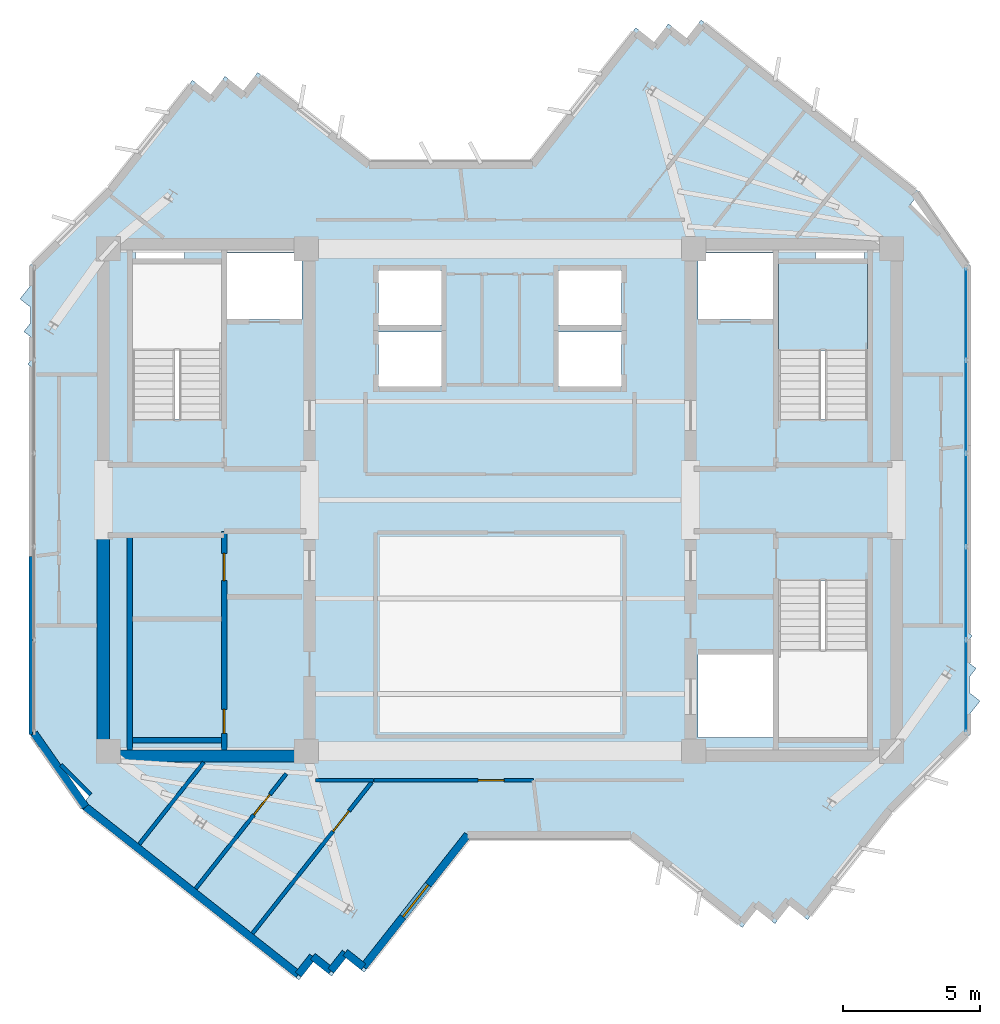
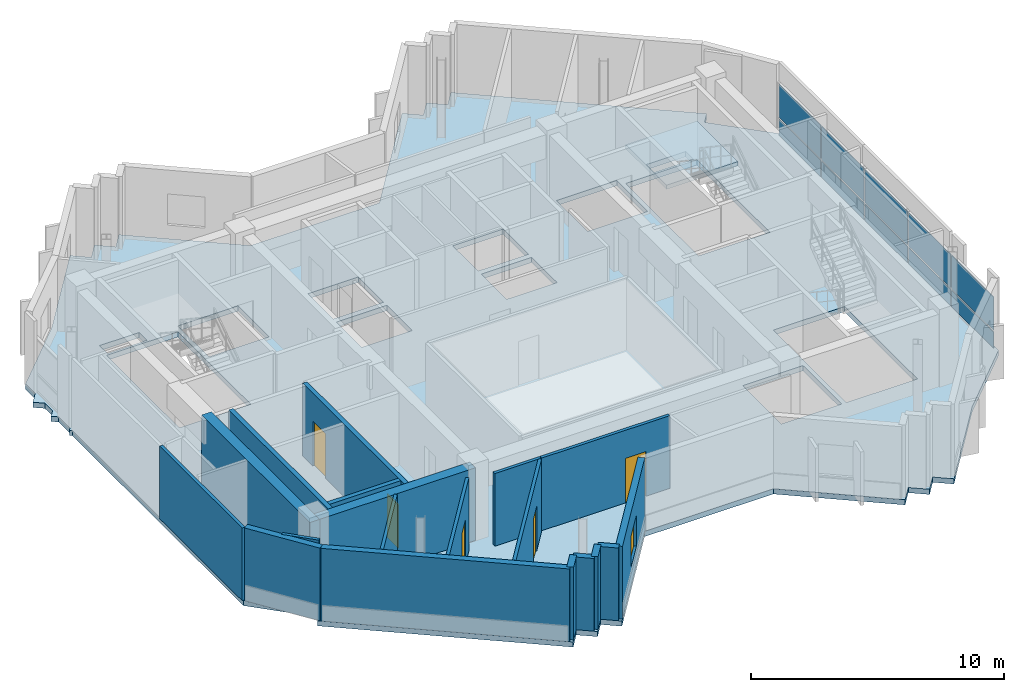
# One storey, part 4 of 10: 19 walls, 10 plates, 5 doors, 2 slabs, 1 window, 6 openings, 2 elements without a shape of their own.
"""IFC4 building model written with IfcOpenShell, lengths in metres."""

from ifc_helpers import new_model, si_unit, direction, frame, frame_2d, origin, origin_2d, place, context, subcontext, project, spatial, polyline, rectangle, outline, extrude, source, transform, mapped, material, layer, layer_set, type_object, element, fill, aggregate, save


model = new_model("IFC4")

# Units and contexts
model_context = context("Model", 3, precision=1e-05, world=origin(), true_north=direction((0.0, 1.0)))
body_context = subcontext(model_context, "Body", "Model", "MODEL_VIEW")
ifc_project = project(units=[si_unit("LENGTHUNIT", "METRE"), si_unit("AREAUNIT", "SQUARE_METRE"), si_unit("VOLUMEUNIT", "CUBIC_METRE"), si_unit("PLANEANGLEUNIT", "RADIAN"), si_unit("MASSUNIT", "GRAM", prefix="KILO")], contexts=[model_context])

# Site, building, storey
site_placement = place(None, origin())
site = spatial("IfcSite", under=ifc_project, at=site_placement, CompositionType="ELEMENT")
building_placement = place(site_placement, origin())
building = spatial("IfcBuilding", under=site, at=building_placement, Name="Zahravan Cultural Tower", CompositionType="ELEMENT")
storey_placement = place(building_placement, frame((0.0, 0.0, 323.550048828125)))
storey = spatial("IfcBuildingStorey", under=building, at=storey_placement, Name="L78", CompositionType="ELEMENT", Elevation=323.550048828125)

# Stair, slab
ifc_material_1 = material(Name="Concrete C45/55", Category="concrete")
stair_type = type_object("IfcStairType", Name="STR-DL-1550-375", PredefinedType="HALF_TURN_STAIR", material=ifc_material_1)
stair_placement = place(storey_placement, origin())
stair = element("IfcStair", 1, at=stair_placement, inside=storey, type_object=stair_type, Name="L78 East Core North Exit Stair ST-E1", PredefinedType="HALF_TURN_STAIR")
ifc_layer_1 = layer(ifc_material_1, 0.199951171875)
ifc_layer_set_1 = layer_set([ifc_layer_1], Name="Concrete C45/55")
slab_type_1 = type_object("IfcSlabType", Name="SL-STAIR-LND200", PredefinedType="LANDING", material=ifc_layer_set_1)
slab_1_placement = place(storey_placement, frame((0.0, 0.0, 1.675048828125)))
slab_1 = element("IfcSlab", 2, at=slab_1_placement, type_object=slab_type_1, Name="ST-E1 landing 1", PredefinedType="LANDING", context=body_context, shape_type="SweptSolid", body=[
    extrude(outline(polyline([(49.449951171875, 32.469970703125), (49.449951171875, 35.699951171875), (46.199951171875, 35.699951171875), (46.199951171875, 32.469970703125), (49.449951171875, 32.469970703125)])), origin(), (0.0, 0.0, 1.0), 0.199951171875),
])
aggregate(stair, [slab_1])

# Slab
ifc_material_2 = material(Name="Concrete C40/50", Category="concrete")
ifc_layer_2 = layer(ifc_material_2, 0.25)
ifc_layer_set_2 = layer_set([ifc_layer_2], Name="Concrete C40/50")
slab_type_2 = type_object("IfcSlabType", Name="SL-TYP-250", PredefinedType="FLOOR", material=ifc_layer_set_2)
slab_2_placement = place(storey_placement, frame((0.0, 0.0, -0.25)))
element("IfcSlab", 3, at=slab_2_placement, inside=storey, type_object=slab_type_2, Name="L78 Structural Floor Slab", PredefinedType="FLOOR", context=body_context, shape_type="SweptSolid", body=[
    extrude(outline(polyline([(37.116455078125, 39.39990234375), (31.25439453125, 39.39990234375), (27.12646484375, 42.654296875), (26.60009765625, 41.98681640625), (25.9326171875, 42.512939453125), (25.406494140625, 41.845458984375), (24.739013671875, 42.37158203125), (21.6376953125, 38.437744140625), (18.800048828125, 35.60009765625), (18.800048828125, 34.838134765625), (18.42431640625, 34.361328125), (18.800048828125, 34.065185546875), (18.800048828125, 33.465087890625), (18.5654296875, 33.167724609375), (18.800048828125, 32.98291015625), (18.800048828125, 32.09228515625), (18.706787109375, 31.97412109375), (18.800048828125, 31.900390625), (18.800048828125, 18.39990234375), (20.995361328125, 16.20458984375), (20.62841796875, 15.739013671875), (28.638671875, 9.42431640625), (29.164794921875, 10.091796875), (29.832275390625, 9.5654296875), (30.3583984375, 10.23291015625), (31.02587890625, 9.706787109375), (34.883544921875, 14.60009765625), (40.74560546875, 14.60009765625), (44.87353515625, 11.345703125), (45.39990234375, 12.01318359375), (46.0673828125, 11.487060546875), (46.593505859375, 12.154541015625), (47.260986328125, 11.62841796875), (50.3623046875, 15.562255859375), (53.199951171875, 18.39990234375), (53.199951171875, 19.161865234375), (53.57568359375, 19.638671875), (53.199951171875, 19.934814453125), (53.199951171875, 20.534912109375), (53.4345703125, 20.832275390625), (53.199951171875, 21.01708984375), (53.199951171875, 21.90771484375), (53.293212890625, 22.02587890625), (53.199951171875, 22.099609375), (53.199951171875, 35.60009765625), (51.004638671875, 37.79541015625), (51.37158203125, 38.260986328125), (43.361328125, 44.57568359375), (42.835205078125, 43.908203125), (42.167724609375, 44.4345703125), (41.6416015625, 43.76708984375), (40.97412109375, 44.293212890625), (37.116455078125, 39.39990234375)]), holes=[polyline([(22.550048828125, 29.949951171875), (22.550048828125, 35.699951171875), (25.800048828125, 35.699951171875), (25.800048828125, 29.949951171875), (22.550048828125, 29.949951171875)]), polyline([(46.199951171875, 29.949951171875), (46.199951171875, 35.699951171875), (49.449951171875, 35.699951171875), (49.449951171875, 29.949951171875), (46.199951171875, 29.949951171875)]), polyline([(46.199951171875, 18.300048828125), (46.199951171875, 24.050048828125), (49.449951171875, 24.050048828125), (49.449951171875, 18.300048828125), (46.199951171875, 18.300048828125)]), polyline([(26.0, 33.60009765625), (26.0, 36.050048828125), (28.75, 36.050048828125), (28.75, 33.60009765625), (26.0, 33.60009765625)]), polyline([(43.25, 33.60009765625), (43.25, 36.050048828125), (46.0, 36.050048828125), (46.0, 33.60009765625), (43.25, 33.60009765625)]), polyline([(43.25, 18.300048828125), (43.25, 21.35009765625), (46.0, 21.35009765625), (46.0, 18.300048828125), (43.25, 18.300048828125)]), polyline([(31.550048828125, 33.39990234375), (31.550048828125, 35.39990234375), (33.85009765625, 35.39990234375), (33.85009765625, 33.39990234375), (31.550048828125, 33.39990234375)]), polyline([(31.550048828125, 31.14990234375), (31.550048828125, 33.14990234375), (33.85009765625, 33.14990234375), (33.85009765625, 31.14990234375), (31.550048828125, 31.14990234375)]), polyline([(38.14990234375, 33.39990234375), (38.14990234375, 35.39990234375), (40.449951171875, 35.39990234375), (40.449951171875, 33.39990234375), (38.14990234375, 33.39990234375)]), polyline([(38.14990234375, 31.14990234375), (38.14990234375, 33.14990234375), (40.449951171875, 33.14990234375), (40.449951171875, 31.14990234375), (38.14990234375, 31.14990234375)]), polyline([(22.64990234375, 35.800048828125), (22.64990234375, 36.419921875), (24.449951171875, 36.419921875), (24.449951171875, 35.800048828125), (22.64990234375, 35.800048828125)]), polyline([(47.550048828125, 35.800048828125), (47.550048828125, 36.419921875), (49.35009765625, 36.419921875), (49.35009765625, 35.800048828125), (47.550048828125, 35.800048828125)])]), origin(), (0.0, 0.0, 1.0), 0.25),
])

# Curtain wall, plates
ifc_material_3 = material(Name="Anodised bronze-aluminium mullion", Category="aluminium")
ifc_layer_3 = layer(ifc_material_3, 0.199951171875)
ifc_layer_set_3 = layer_set([ifc_layer_3], Name="Anodised bronze-aluminium mullion")
curtain_wall_type = type_object("IfcCurtainWallType", Name="CW-SYS-2", PredefinedType="USERDEFINED", material=ifc_layer_set_3)
curtain_wall_placement = place(storey_placement, origin())
curtain_wall = element("IfcCurtainWall", 4, at=curtain_wall_placement, inside=storey, type_object=curtain_wall_type, Name="L78 Recessed Curtain Wall CW-2.1", ObjectType="RECESSED GLAZING", PredefinedType="USERDEFINED")
ifc_material_4 = material(Name="Low-E solar-control double glazing", Category="glass")
ifc_layer_4 = layer(ifc_material_4, 0.030029296875)
ifc_layer_set_4 = layer_set([ifc_layer_4], Name="Low-E solar-control double glazing")
plate_type = type_object("IfcPlateType", Name="CWP-CW-2", PredefinedType="CURTAIN_PANEL", material=ifc_layer_set_4)
shared_shape_1 = source(origin(), body_context, "Body", "SweptSolid", [
    extrude(rectangle(XDim=3.30419921875, YDim=0.030029296875, at=origin_2d()), origin(), (0.0, 0.0, 1.0), 0.78759765625),
])
plate_1_placement = place(storey_placement, frame((53.06005859375, 33.81494140625, 0.074951171875), z_axis=(0.0, 0.0, 1.0), x_axis=(0.0, -1.0, 0.0)))
plate_1 = element("IfcPlate", 5, at=plate_1_placement, type_object=plate_type, Name="CW-2 panel 1.1", PredefinedType="CURTAIN_PANEL", context=body_context, shape_type="MappedRepresentation", body=[
    mapped(shared_shape_1, transform((0.0, 0.0, 0.0), x_axis=(1.0, 0.0, 0.0), y_axis=(0.0, 1.0, 0.0), z_axis=(0.0, 0.0, 1.0), scale=1.0)),
])
plate_2_placement = place(storey_placement, frame((53.06005859375, 20.18505859375, 0.074951171875), z_axis=(0.0, 0.0, 1.0), x_axis=(0.0, -1.0, 0.0)))
plate_2 = element("IfcPlate", 6, at=plate_2_placement, type_object=plate_type, Name="CW-2 panel 5.1", PredefinedType="CURTAIN_PANEL", context=body_context, shape_type="MappedRepresentation", body=[
    mapped(shared_shape_1, transform((0.0, 0.0, 0.0), x_axis=(1.0, 0.0, 0.0), y_axis=(0.0, 1.0, 0.0), z_axis=(0.0, 0.0, 1.0), scale=1.0)),
])
shared_shape_2 = source(origin(), body_context, "Body", "SweptSolid", [
    extrude(rectangle(XDim=3.30419921875, YDim=0.030029296875, at=origin_2d()), origin(), (0.0, 0.0, 1.0), 1.607421875),
])
plate_3_placement = place(storey_placement, frame((53.06005859375, 33.81494140625, 0.9375), z_axis=(0.0, 0.0, 1.0), x_axis=(0.0, -1.0, 0.0)))
plate_3 = element("IfcPlate", 7, at=plate_3_placement, type_object=plate_type, Name="CW-2 panel 1.2", PredefinedType="CURTAIN_PANEL", context=body_context, shape_type="MappedRepresentation", body=[
    mapped(shared_shape_2, transform((0.0, 0.0, 0.0), x_axis=(1.0, 0.0, 0.0), y_axis=(0.0, 1.0, 0.0), z_axis=(0.0, 0.0, 1.0), scale=1.0)),
])
plate_4_placement = place(storey_placement, frame((53.06005859375, 20.18505859375, 0.9375), z_axis=(0.0, 0.0, 1.0), x_axis=(0.0, -1.0, 0.0)))
plate_4 = element("IfcPlate", 8, at=plate_4_placement, type_object=plate_type, Name="CW-2 panel 5.2", PredefinedType="CURTAIN_PANEL", context=body_context, shape_type="MappedRepresentation", body=[
    mapped(shared_shape_2, transform((0.0, 0.0, 0.0), x_axis=(1.0, 0.0, 0.0), y_axis=(0.0, 1.0, 0.0), z_axis=(0.0, 0.0, 1.0), scale=1.0)),
])
shared_shape_3 = source(origin(), body_context, "Body", "SweptSolid", [
    extrude(rectangle(XDim=3.341796875, YDim=0.030029296875, at=origin_2d()), origin(), (0.0, 0.0, 1.0), 0.78759765625),
])
plate_5_placement = place(storey_placement, frame((53.06005859375, 30.416748046875, 0.074951171875), z_axis=(0.0, 0.0, 1.0), x_axis=(0.0, -1.0, 0.0)))
plate_5 = element("IfcPlate", 9, at=plate_5_placement, type_object=plate_type, Name="CW-2 panel 2.1", PredefinedType="CURTAIN_PANEL", context=body_context, shape_type="MappedRepresentation", body=[
    mapped(shared_shape_3, transform((0.0, 0.0, 0.0), x_axis=(1.0, 0.0, 0.0), y_axis=(0.0, 1.0, 0.0), z_axis=(0.0, 0.0, 1.0), scale=1.0)),
])
plate_6_placement = place(storey_placement, frame((53.06005859375, 27.0, 0.074951171875), z_axis=(0.0, 0.0, 1.0), x_axis=(0.0, -1.0, 0.0)))
plate_6 = element("IfcPlate", 10, at=plate_6_placement, type_object=plate_type, Name="CW-2 panel 3.1", PredefinedType="CURTAIN_PANEL", context=body_context, shape_type="MappedRepresentation", body=[
    mapped(shared_shape_3, transform((0.0, 0.0, 0.0), x_axis=(1.0, 0.0, 0.0), y_axis=(0.0, 1.0, 0.0), z_axis=(0.0, 0.0, 1.0), scale=1.0)),
])
plate_7_placement = place(storey_placement, frame((53.06005859375, 23.583251953125, 0.074951171875), z_axis=(0.0, 0.0, 1.0), x_axis=(0.0, -1.0, 0.0)))
plate_7 = element("IfcPlate", 11, at=plate_7_placement, type_object=plate_type, Name="CW-2 panel 4.1", PredefinedType="CURTAIN_PANEL", context=body_context, shape_type="MappedRepresentation", body=[
    mapped(shared_shape_3, transform((0.0, 0.0, 0.0), x_axis=(1.0, 0.0, 0.0), y_axis=(0.0, 1.0, 0.0), z_axis=(0.0, 0.0, 1.0), scale=1.0)),
])
shared_shape_4 = source(origin(), body_context, "Body", "SweptSolid", [
    extrude(rectangle(XDim=3.341796875, YDim=0.030029296875, at=origin_2d()), origin(), (0.0, 0.0, 1.0), 1.607421875),
])
plate_8_placement = place(storey_placement, frame((53.06005859375, 30.416748046875, 0.9375), z_axis=(0.0, 0.0, 1.0), x_axis=(0.0, -1.0, 0.0)))
plate_8 = element("IfcPlate", 12, at=plate_8_placement, type_object=plate_type, Name="CW-2 panel 2.2", PredefinedType="CURTAIN_PANEL", context=body_context, shape_type="MappedRepresentation", body=[
    mapped(shared_shape_4, transform((0.0, 0.0, 0.0), x_axis=(1.0, 0.0, 0.0), y_axis=(0.0, 1.0, 0.0), z_axis=(0.0, 0.0, 1.0), scale=1.0)),
])
plate_9_placement = place(storey_placement, frame((53.06005859375, 27.0, 0.9375), z_axis=(0.0, 0.0, 1.0), x_axis=(0.0, -1.0, 0.0)))
plate_9 = element("IfcPlate", 13, at=plate_9_placement, type_object=plate_type, Name="CW-2 panel 3.2", PredefinedType="CURTAIN_PANEL", context=body_context, shape_type="MappedRepresentation", body=[
    mapped(shared_shape_4, transform((0.0, 0.0, 0.0), x_axis=(1.0, 0.0, 0.0), y_axis=(0.0, 1.0, 0.0), z_axis=(0.0, 0.0, 1.0), scale=1.0)),
])
plate_10_placement = place(storey_placement, frame((53.06005859375, 23.583251953125, 0.9375), z_axis=(0.0, 0.0, 1.0), x_axis=(0.0, -1.0, 0.0)))
plate_10 = element("IfcPlate", 14, at=plate_10_placement, type_object=plate_type, Name="CW-2 panel 4.2", PredefinedType="CURTAIN_PANEL", context=body_context, shape_type="MappedRepresentation", body=[
    mapped(shared_shape_4, transform((0.0, 0.0, 0.0), x_axis=(1.0, 0.0, 0.0), y_axis=(0.0, 1.0, 0.0), z_axis=(0.0, 0.0, 1.0), scale=1.0)),
])
aggregate(curtain_wall, [plate_1, plate_3, plate_5, plate_8, plate_6, plate_9, plate_7, plate_10, plate_2, plate_4])

# Wall, opening, window
ifc_material_5 = material(Name="Precast concrete C40/50", Category="concrete")
ifc_layer_5 = layer(ifc_material_5, 0.280029296875)
ifc_layer_set_5 = layer_set([ifc_layer_5], Name="Precast concrete C40/50")
wall_type_1 = type_object("IfcWallType", Name="EW-TC-280", PredefinedType="SOLIDWALL", material=ifc_layer_set_5)
wall_1_placement = place(storey_placement, frame((34.815673828125, 14.739990234375, 0.0), z_axis=(0.0, 0.0, 1.0), x_axis=(-0.619100474058, -0.78531178714, 0.0)))
wall_1 = element("IfcWall", 15, at=wall_1_placement, inside=storey, type_object=wall_type_1, Name="L78 Exterior Masonry Frame Wall 24", PredefinedType="SOLIDWALL", context=body_context, shape_type="SweptSolid", body=[
    extrude(rectangle(XDim=6.158935546875, YDim=0.280029296875, at=frame_2d((3.07958984375, 0.0))), origin(), (0.0, 0.0, 1.0), 3.5),
])
opening_1_placement = place(wall_1_placement, frame((2.3291015625, 0.0, 0.85009765625)))
opening_1 = element("IfcOpeningElement", 16, at=opening_1_placement, cuts=wall_1, Name="Opening WN-03", PredefinedType="OPENING", context=body_context, shape_type="SweptSolid", body=[
    extrude(rectangle(XDim=1.5, YDim=1.5, at=frame_2d((0.75, 0.75))), frame((0.0, 0.14990234375, 0.0), z_axis=(0.0, -1.0, 0.0), x_axis=(1.0, 0.0, 0.0)), (0.0, 0.0, 1.0), 0.300048828125),
])
window_type = type_object("IfcWindowType", Name="WN-REC-1500X1500", PartitioningType="SINGLE_PANEL", PredefinedType="WINDOW", material=ifc_material_4)
shared_shape_5 = source(origin(), body_context, "Body", "SweptSolid", [
    extrude(rectangle(XDim=1.5, YDim=1.5, at=frame_2d((0.75, 0.75))), frame((0.0, 0.030029296875, 0.0), z_axis=(0.0, -1.0, 0.0), x_axis=(1.0, 0.0, 0.0)), (0.0, 0.0, 1.0), 0.06005859375),
])
window_placement = place(opening_1_placement, origin())
window = element("IfcWindow", 17, at=window_placement, inside=storey, type_object=window_type, Name="L78 Recessed Solar Window 08", OverallHeight=1.5, OverallWidth=1.5, PartitioningType="SINGLE_PANEL", PredefinedType="WINDOW", context=body_context, shape_type="MappedRepresentation", body=[
    mapped(shared_shape_5, transform((0.0, 0.0, 0.0), x_axis=(1.0, 0.0, 0.0), y_axis=(0.0, 1.0, 0.0), z_axis=(0.0, 0.0, 1.0), scale=1.0)),
])
fill(opening_1, window)

# Wall, opening, door
ifc_material_6 = material(Name="Gypsum plasterboard partition")
ifc_layer_6 = layer(ifc_material_6, 0.139892578125)
ifc_layer_set_6 = layer_set([ifc_layer_6], Name="Gypsum plasterboard partition")
wall_type_2 = type_object("IfcWallType", Name="W-PART-140", PredefinedType="PARTITIONING", material=ifc_layer_set_6)
wall_2_placement = place(storey_placement, frame((28.17724609375, 16.97998046875, 0.0), z_axis=(0.0, 0.0, 1.0), x_axis=(-0.619105408422, -0.785307897109, 0.0)))
wall_2 = element("IfcWall", 18, at=wall_2_placement, inside=storey, type_object=wall_type_2, Name="L78 Interior Wall 052", PredefinedType="PARTITIONING", context=body_context, shape_type="SweptSolid", body=[
    extrude(rectangle(XDim=5.363037109375, YDim=0.139892578125, at=frame_2d((2.681640625, 0.0))), origin(), (0.0, 0.0, 1.0), 3.5),
])
opening_2_placement = place(wall_2_placement, frame((0.970947265625, 0.0, 0.0)))
opening_2 = element("IfcOpeningElement", 19, at=opening_2_placement, cuts=wall_2, Name="Opening D-L78-27", PredefinedType="OPENING", context=body_context, shape_type="SweptSolid", body=[
    extrude(rectangle(XDim=0.949951171875, YDim=2.14990234375, at=frame_2d((0.47509765625, 1.074951171875))), frame((0.0, 0.079833984375, 0.0), z_axis=(0.0, -1.0, 0.0), x_axis=(1.0, 0.0, 0.0)), (0.0, 0.0, 1.0), 0.159912109375),
])
door_type_1 = type_object("IfcDoorType", Name="DR-ROOM-950", OperationType="NOTDEFINED", PredefinedType="DOOR", material=ifc_material_3)
shared_shape_6 = source(origin(), body_context, "Body", "SweptSolid", [
    extrude(rectangle(XDim=0.949951171875, YDim=2.14990234375, at=frame_2d((0.47509765625, 1.074951171875))), frame((0.0, 0.02490234375, 0.0), z_axis=(0.0, -1.0, 0.0), x_axis=(1.0, 0.0, 0.0)), (0.0, 0.0, 1.0), 0.050048828125),
])
door_1_placement = place(opening_2_placement, origin())
door_1 = element("IfcDoor", 20, at=door_1_placement, inside=storey, type_object=door_type_1, Name="L78 Door D-L78-27", OperationType="SINGLE_SWING_RIGHT", OverallHeight=2.14990234375, OverallWidth=0.949951171875, PredefinedType="DOOR", context=body_context, shape_type="MappedRepresentation", body=[
    mapped(shared_shape_6, transform((0.0, 0.0, 0.0), x_axis=(1.0, 0.0, 0.0), y_axis=(0.0, 1.0, 0.0), z_axis=(0.0, 0.0, 1.0), scale=1.0)),
])
fill(opening_2, door_1)

wall_3_placement = place(storey_placement, frame((31.30322265625, 16.664794921875, 0.0), z_axis=(0.0, 0.0, 1.0), x_axis=(-0.619105259882, -0.785308014213, 0.0)))
wall_3 = element("IfcWall", 21, at=wall_3_placement, inside=storey, type_object=wall_type_2, Name="L78 Interior Wall 056", PredefinedType="PARTITIONING", context=body_context, shape_type="SweptSolid", body=[
    extrude(rectangle(XDim=7.05078125, YDim=0.139892578125, at=frame_2d((3.525390625, 0.0))), origin(), (0.0, 0.0, 1.0), 3.5),
])
opening_3_placement = place(wall_3_placement, frame((1.34228515625, 0.0, 0.0)))
opening_3 = element("IfcOpeningElement", 22, at=opening_3_placement, cuts=wall_3, Name="Opening D-L78-25", PredefinedType="OPENING", context=body_context, shape_type="SweptSolid", body=[
    extrude(rectangle(XDim=0.949951171875, YDim=2.14990234375, at=frame_2d((0.47509765625, 1.074951171875))), frame((0.0, 0.079833984375, 0.0), z_axis=(0.0, -1.0, 0.0), x_axis=(1.0, 0.0, 0.0)), (0.0, 0.0, 1.0), 0.159912109375),
])
door_2_placement = place(opening_3_placement, origin())
door_2 = element("IfcDoor", 23, at=door_2_placement, inside=storey, type_object=door_type_1, Name="L78 Door D-L78-25", OperationType="SINGLE_SWING_RIGHT", OverallHeight=2.14990234375, OverallWidth=0.949951171875, PredefinedType="DOOR", context=body_context, shape_type="MappedRepresentation", body=[
    mapped(shared_shape_6, transform((0.0, 0.0, 0.0), x_axis=(1.0, 0.0, 0.0), y_axis=(0.0, 1.0, 0.0), z_axis=(0.0, 0.0, 1.0), scale=1.0)),
])
fill(opening_3, door_2)

wall_4_placement = place(storey_placement, frame((31.387939453125, 16.739990234375, 0.0), z_axis=(0.0, 0.0, 1.0), x_axis=(1.0, 0.0, 0.0)))
wall_4 = element("IfcWall", 24, at=wall_4_placement, inside=storey, type_object=wall_type_2, Name="L78 Interior Wall 078", PredefinedType="PARTITIONING", context=body_context, shape_type="SweptSolid", body=[
    extrude(rectangle(XDim=5.836669921875, YDim=0.139892578125, at=frame_2d((2.91845703125, 0.0))), origin(), (0.0, 0.0, 1.0), 3.5),
])
opening_4_placement = place(wall_4_placement, frame((3.8115234375, 0.0, 0.0)))
opening_4 = element("IfcOpeningElement", 25, at=opening_4_placement, cuts=wall_4, Name="Opening D-L78-22", PredefinedType="OPENING", context=body_context, shape_type="SweptSolid", body=[
    extrude(rectangle(XDim=0.949951171875, YDim=2.14990234375, at=frame_2d((0.47509765625, 1.074951171875))), frame((0.0, 0.079833984375, 0.0), z_axis=(0.0, -1.0, 0.0), x_axis=(1.0, 0.0, 0.0)), (0.0, 0.0, 1.0), 0.159912109375),
])
door_3_placement = place(opening_4_placement, origin())
door_3 = element("IfcDoor", 26, at=door_3_placement, inside=storey, type_object=door_type_1, Name="L78 Door D-L78-22", OperationType="SINGLE_SWING_LEFT", OverallHeight=2.14990234375, OverallWidth=0.949951171875, PredefinedType="DOOR", context=body_context, shape_type="MappedRepresentation", body=[
    mapped(shared_shape_6, transform((0.0, 0.0, 0.0), x_axis=(1.0, 0.0, 0.0), y_axis=(0.0, 1.0, 0.0), z_axis=(0.0, 0.0, 1.0), scale=1.0)),
])
fill(opening_4, door_3)

# Wall, openings, doors
ifc_layer_7 = layer(ifc_material_1, 0.199951171875)
ifc_layer_set_7 = layer_set([ifc_layer_7], Name="Concrete C45/55")
wall_type_3 = type_object("IfcWallType", Name="W-SHAFT-200", PredefinedType="SOLIDWALL", material=ifc_layer_set_7)
wall_5_placement = place(storey_placement, frame((25.89990234375, 17.85009765625, 0.0), z_axis=(0.0, 0.0, 1.0), x_axis=(0.0, 1.0, 0.0)))
wall_5 = element("IfcWall", 27, at=wall_5_placement, inside=storey, type_object=wall_type_3, Name="L78 Interior Wall 005", PredefinedType="SOLIDWALL", context=body_context, shape_type="SweptSolid", body=[
    extrude(rectangle(XDim=8.0, YDim=0.199951171875, at=frame_2d((4.0, 0.0))), origin(), (0.0, 0.0, 1.0), 3.5),
])
opening_5_placement = place(wall_5_placement, frame((6.199951171875, 0.0, 0.0)))
opening_5 = element("IfcOpeningElement", 28, at=opening_5_placement, cuts=wall_5, Name="Opening D-L78-04", PredefinedType="OPENING", context=body_context, shape_type="SweptSolid", body=[
    extrude(rectangle(XDim=1.0, YDim=2.14990234375, at=frame_2d((0.5, 1.074951171875))), frame((0.0, 0.10986328125, 0.0), z_axis=(0.0, -1.0, 0.0), x_axis=(1.0, 0.0, 0.0)), (0.0, 0.0, 1.0), 0.219970703125),
])
opening_6_placement = place(wall_5_placement, frame((0.60009765625, 0.0, 0.0)))
opening_6 = element("IfcOpeningElement", 29, at=opening_6_placement, cuts=wall_5, Name="Opening D-L78-05", PredefinedType="OPENING", context=body_context, shape_type="SweptSolid", body=[
    extrude(rectangle(XDim=0.8798828125, YDim=2.10009765625, at=frame_2d((0.43994140625, 1.050048828125))), frame((0.0, 0.10986328125, 0.0), z_axis=(0.0, -1.0, 0.0), x_axis=(1.0, 0.0, 0.0)), (0.0, 0.0, 1.0), 0.219970703125),
])
ifc_material_7 = material(Name="Steel ASTM A572 Grade 50", Category="steel")
door_type_2 = type_object("IfcDoorType", Name="DR-SVC-880", OperationType="NOTDEFINED", PredefinedType="DOOR", material=ifc_material_7)
shared_shape_7 = source(origin(), body_context, "Body", "SweptSolid", [
    extrude(rectangle(XDim=0.8798828125, YDim=2.10009765625, at=frame_2d((0.43994140625, 1.050048828125))), frame((0.0, 0.02490234375, 0.0), z_axis=(0.0, -1.0, 0.0), x_axis=(1.0, 0.0, 0.0)), (0.0, 0.0, 1.0), 0.050048828125),
])
door_4_placement = place(opening_6_placement, origin())
door_4 = element("IfcDoor", 30, at=door_4_placement, inside=storey, type_object=door_type_2, Name="L78 Door D-L78-05", OperationType="SINGLE_SWING_RIGHT", OverallHeight=2.10009765625, OverallWidth=0.8798828125, PredefinedType="DOOR", context=body_context, shape_type="MappedRepresentation", body=[
    mapped(shared_shape_7, transform((0.0, 0.0, 0.0), x_axis=(1.0, 0.0, 0.0), y_axis=(0.0, 1.0, 0.0), z_axis=(0.0, 0.0, 1.0), scale=1.0)),
])
fill(opening_6, door_4)
door_type_3 = type_object("IfcDoorType", Name="DR-COMP-1000", OperationType="NOTDEFINED", PredefinedType="DOOR", material=ifc_material_7)
shared_shape_8 = source(origin(), body_context, "Body", "SweptSolid", [
    extrude(rectangle(XDim=1.0, YDim=2.14990234375, at=frame_2d((0.5, 1.074951171875))), frame((0.0, 0.02490234375, 0.0), z_axis=(0.0, -1.0, 0.0), x_axis=(1.0, 0.0, 0.0)), (0.0, 0.0, 1.0), 0.050048828125),
])
door_5_placement = place(opening_5_placement, origin())
door_5 = element("IfcDoor", 31, at=door_5_placement, inside=storey, type_object=door_type_3, Name="L78 Door D-L78-04", OperationType="SINGLE_SWING_LEFT", OverallHeight=2.14990234375, OverallWidth=1.0, PredefinedType="DOOR", context=body_context, shape_type="MappedRepresentation", body=[
    mapped(shared_shape_8, transform((0.0, 0.0, 0.0), x_axis=(1.0, 0.0, 0.0), y_axis=(0.0, 1.0, 0.0), z_axis=(0.0, 0.0, 1.0), scale=1.0)),
])
fill(opening_5, door_5)

# Walls
ifc_material_8 = material(Name="Concrete C50/60", Category="concrete")
ifc_layer_8 = layer(ifc_material_8, 0.449951171875)
ifc_layer_set_8 = layer_set([ifc_layer_8], Name="Concrete C50/60")
wall_type_4 = type_object("IfcWallType", Name="CW-SHEAR-450-C50", PredefinedType="SHEAR", material=ifc_layer_set_8)
shared_shape_9 = source(origin(), body_context, "Body", "SweptSolid", [
    extrude(rectangle(XDim=8.550048828125, YDim=0.449951171875, at=frame_2d((4.27490234375, 0.0))), origin(), (0.0, 0.0, 1.0), 3.5),
])
wall_6_placement = place(storey_placement, frame((21.47509765625, 17.39990234375, 0.0), z_axis=(0.0, 0.0, 1.0), x_axis=(0.0, 1.0, 0.0)))
element("IfcWall", 32, at=wall_6_placement, inside=storey, type_object=wall_type_4, Name="L78 Core Shear Wall CW-W-WS-L78", PredefinedType="SHEAR", context=body_context, shape_type="MappedRepresentation", body=[
    mapped(shared_shape_9, transform((0.0, 0.0, 0.0), x_axis=(1.0, 0.0, 0.0), y_axis=(0.0, 1.0, 0.0), z_axis=(0.0, 0.0, 1.0), scale=1.0)),
])
shared_shape_10 = source(origin(), body_context, "Body", "SweptSolid", [
    extrude(rectangle(XDim=7.10009765625, YDim=0.449951171875, at=frame_2d((3.550048828125, 0.0))), origin(), (0.0, 0.0, 1.0), 3.5),
])
wall_7_placement = place(storey_placement, frame((21.699951171875, 17.625, 0.0), z_axis=(0.0, 0.0, 1.0), x_axis=(1.0, 0.0, 0.0)))
element("IfcWall", 33, at=wall_7_placement, inside=storey, type_object=wall_type_4, Name="L78 Core Shear Wall CW-W-S-L78", PredefinedType="SHEAR", context=body_context, shape_type="MappedRepresentation", body=[
    mapped(shared_shape_10, transform((0.0, 0.0, 0.0), x_axis=(1.0, 0.0, 0.0), y_axis=(0.0, 1.0, 0.0), z_axis=(0.0, 0.0, 1.0), scale=1.0)),
])
shared_shape_11 = source(origin(), body_context, "Body", "SweptSolid", [
    extrude(rectangle(XDim=0.85009765625, YDim=0.280029296875, at=frame_2d((0.425048828125, 0.0))), origin(), (0.0, 0.0, 1.0), 3.5),
])
for number, where, z_axis, x_axis, name in (
    (34, (31.002685546875, 9.9033203125, 0.0), (0.0, 0.0, 1.0), (-0.785220826193, 0.619215838066, 0.0), "L78 Exterior Masonry Frame Wall 25"),
    (35, (29.1416015625, 10.288330078125, 0.0), (0.0, 0.0, 1.0), (-0.619215838066, -0.785220826193, 0.0), "L78 Exterior Masonry Frame Wall 28"),
):
    element("IfcWall", number, at=place(storey_placement, frame(where, z_axis=z_axis, x_axis=x_axis)), inside=storey, type_object=wall_type_1, Name=name, PredefinedType="SOLIDWALL", context=body_context, shape_type="MappedRepresentation", body=[
        mapped(shared_shape_11, transform((0.0, 0.0, 0.0), x_axis=(1.0, 0.0, 0.0), y_axis=(0.0, 1.0, 0.0), z_axis=(0.0, 0.0, 1.0), scale=1.0)),
    ])
shared_shape_12 = source(origin(), body_context, "Body", "SweptSolid", [
    extrude(rectangle(XDim=0.849853515625, YDim=0.280029296875, at=frame_2d((0.4248046875, 0.0))), origin(), (0.0, 0.0, 1.0), 3.5),
])
for number, where, z_axis, x_axis, name in (
    (36, (30.335205078125, 10.4296875, 0.0), (0.0, 0.0, 1.0), (-0.619038707801, -0.785360476625, 0.0), "L78 Exterior Masonry Frame Wall 26"),
    (37, (29.80908203125, 9.76220703125, 0.0), (0.0, 0.0, 1.0), (-0.785360476625, 0.619038707801, 0.0), "L78 Exterior Masonry Frame Wall 27"),
):
    element("IfcWall", number, at=place(storey_placement, frame(where, z_axis=z_axis, x_axis=x_axis)), inside=storey, type_object=wall_type_1, Name=name, PredefinedType="SOLIDWALL", context=body_context, shape_type="MappedRepresentation", body=[
        mapped(shared_shape_12, transform((0.0, 0.0, 0.0), x_axis=(1.0, 0.0, 0.0), y_axis=(0.0, 1.0, 0.0), z_axis=(0.0, 0.0, 1.0), scale=1.0)),
    ])
shared_shape_13 = source(origin(), body_context, "Body", "SweptSolid", [
    extrude(rectangle(XDim=9.919921875, YDim=0.280029296875, at=frame_2d((4.9599609375, 0.0))), origin(), (0.0, 0.0, 1.0), 3.5),
])
wall_8_placement = place(storey_placement, frame((28.615234375, 9.620849609375, 0.0), z_axis=(0.0, 0.0, 1.0), x_axis=(-0.785317257435, 0.619093535077, 0.0)))
element("IfcWall", 38, at=wall_8_placement, inside=storey, type_object=wall_type_1, Name="L78 Exterior Masonry Frame Wall 29", PredefinedType="SOLIDWALL", context=body_context, shape_type="MappedRepresentation", body=[
    mapped(shared_shape_13, transform((0.0, 0.0, 0.0), x_axis=(1.0, 0.0, 0.0), y_axis=(0.0, 1.0, 0.0), z_axis=(0.0, 0.0, 1.0), scale=1.0)),
])
shared_shape_14 = source(origin(), body_context, "Body", "SweptSolid", [
    extrude(rectangle(XDim=3.28955078125, YDim=0.280029296875, at=frame_2d((1.644775390625, 0.0))), origin(), (0.0, 0.0, 1.0), 3.5),
])
wall_9_placement = place(storey_placement, frame((20.824951171875, 15.76220703125, 0.0), z_axis=(0.0, 0.0, 1.0), x_axis=(-0.573043854491, 0.819524704222, 0.0)))
element("IfcWall", 39, at=wall_9_placement, inside=storey, type_object=wall_type_1, Name="L78 Exterior Masonry Frame Wall 30", PredefinedType="SOLIDWALL", context=body_context, shape_type="MappedRepresentation", body=[
    mapped(shared_shape_14, transform((0.0, 0.0, 0.0), x_axis=(1.0, 0.0, 0.0), y_axis=(0.0, 1.0, 0.0), z_axis=(0.0, 0.0, 1.0), scale=1.0)),
])
shared_shape_15 = source(origin(), body_context, "Body", "SweptSolid", [
    extrude(rectangle(XDim=7.869873046875, YDim=0.199951171875, at=frame_2d((3.93505859375, 0.0))), origin(), (0.0, 0.0, 1.0), 3.5),
])
wall_10_placement = place(storey_placement, frame((22.449951171875, 17.85009765625, 0.0), z_axis=(0.0, 0.0, 1.0), x_axis=(0.0, 1.0, 0.0)))
element("IfcWall", 40, at=wall_10_placement, inside=storey, type_object=wall_type_3, Name="L78 Interior Wall 001", PredefinedType="SOLIDWALL", context=body_context, shape_type="MappedRepresentation", body=[
    mapped(shared_shape_15, transform((0.0, 0.0, 0.0), x_axis=(1.0, 0.0, 0.0), y_axis=(0.0, 1.0, 0.0), z_axis=(0.0, 0.0, 1.0), scale=1.0)),
])
shared_shape_16 = source(origin(), body_context, "Body", "SweptSolid", [
    extrude(rectangle(XDim=3.25, YDim=0.199951171875, at=frame_2d((1.625, 0.0))), origin(), (0.0, 0.0, 1.0), 3.5),
])
wall_11_placement = place(storey_placement, frame((22.550048828125, 18.199951171875, 0.0), z_axis=(0.0, 0.0, 1.0), x_axis=(1.0, 0.0, 0.0)))
element("IfcWall", 41, at=wall_11_placement, inside=storey, type_object=wall_type_3, Name="L78 Interior Wall 019", PredefinedType="SOLIDWALL", context=body_context, shape_type="MappedRepresentation", body=[
    mapped(shared_shape_16, transform((0.0, 0.0, 0.0), x_axis=(1.0, 0.0, 0.0), y_axis=(0.0, 1.0, 0.0), z_axis=(0.0, 0.0, 1.0), scale=1.0)),
])
shared_shape_17 = source(origin(), body_context, "Body", "SweptSolid", [
    extrude(rectangle(XDim=3.818359375, YDim=0.139892578125, at=frame_2d((1.9091796875, 0.0))), origin(), (0.0, 0.0, 1.0), 3.5),
])
wall_12_placement = place(storey_placement, frame((22.79150390625, 14.396484375, 0.0), z_axis=(0.0, 0.0, 1.0), x_axis=(0.619119655452, 0.78529666511, 0.0)))
element("IfcWall", 42, at=wall_12_placement, inside=storey, type_object=wall_type_2, Name="L78 Interior Wall 051", PredefinedType="PARTITIONING", context=body_context, shape_type="MappedRepresentation", body=[
    mapped(shared_shape_17, transform((0.0, 0.0, 0.0), x_axis=(1.0, 0.0, 0.0), y_axis=(0.0, 1.0, 0.0), z_axis=(0.0, 0.0, 1.0), scale=1.0)),
])
shared_shape_18 = source(origin(), body_context, "Body", "SweptSolid", [
    extrude(rectangle(XDim=2.10888671875, YDim=0.139892578125, at=frame_2d((1.054443359375, 0.0))), origin(), (0.0, 0.0, 1.0), 3.5),
])
wall_13_placement = place(storey_placement, frame((29.25341796875, 16.7412109375, 0.0), z_axis=(0.0, 0.0, 1.0), x_axis=(0.999999832474, -0.000578837597, 0.0)))
element("IfcWall", 43, at=wall_13_placement, inside=storey, type_object=wall_type_2, Name="L78 Interior Wall 055", PredefinedType="PARTITIONING", context=body_context, shape_type="MappedRepresentation", body=[
    mapped(shared_shape_18, transform((0.0, 0.0, 0.0), x_axis=(1.0, 0.0, 0.0), y_axis=(0.0, 1.0, 0.0), z_axis=(0.0, 0.0, 1.0), scale=1.0)),
])
shared_shape_19 = source(origin(), body_context, "Body", "SweptSolid", [
    extrude(rectangle(XDim=1.538330078125, YDim=0.139892578125, at=frame_2d((0.76904296875, 0.0))), origin(), (0.0, 0.0, 1.0), 3.5),
])
wall_14_placement = place(storey_placement, frame((21.0087890625, 16.21728515625, 0.0), z_axis=(0.0, 0.0, 1.0), x_axis=(-0.706709909315, 0.707503430434, 0.0)))
element("IfcWall", 44, at=wall_14_placement, inside=storey, type_object=wall_type_2, Name="L78 Interior Wall 066", PredefinedType="PARTITIONING", context=body_context, shape_type="MappedRepresentation", body=[
    mapped(shared_shape_19, transform((0.0, 0.0, 0.0), x_axis=(1.0, 0.0, 0.0), y_axis=(0.0, 1.0, 0.0), z_axis=(0.0, 0.0, 1.0), scale=1.0)),
])
shared_shape_20 = source(origin(), body_context, "Body", "SweptSolid", [
    extrude(rectangle(XDim=6.51513671875, YDim=0.139892578125, at=frame_2d((3.257568359375, 0.0))), origin(), (0.0, 0.0, 1.0), 3.5),
])
wall_15_placement = place(storey_placement, frame((18.820068359375, 18.408203125, 0.0), z_axis=(0.0, 0.0, 1.0), x_axis=(0.0, 1.0, 0.0)))
element("IfcWall", 45, at=wall_15_placement, inside=storey, type_object=wall_type_2, Name="L78 Interior Wall 067", PredefinedType="PARTITIONING", context=body_context, shape_type="MappedRepresentation", body=[
    mapped(shared_shape_20, transform((0.0, 0.0, 0.0), x_axis=(1.0, 0.0, 0.0), y_axis=(0.0, 1.0, 0.0), z_axis=(0.0, 0.0, 1.0), scale=1.0)),
])

save(model, "model.ifc")
